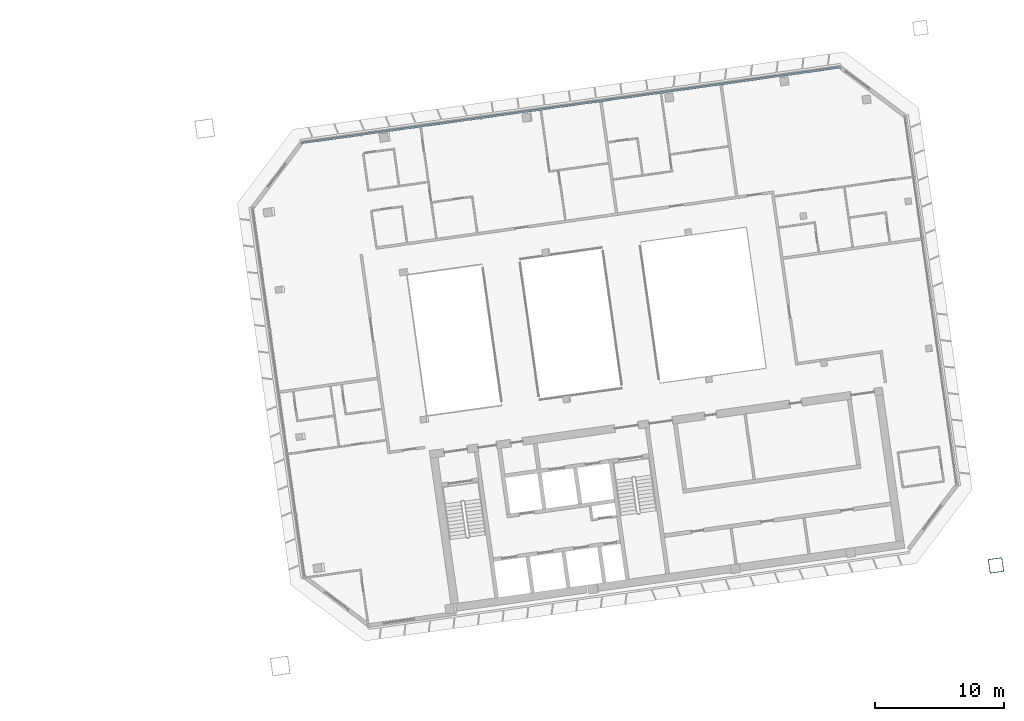
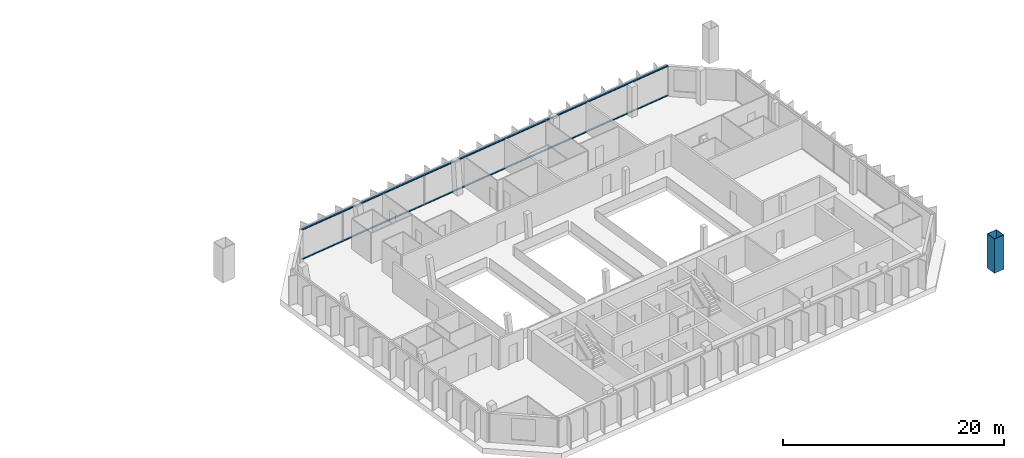
# One storey, part 8 of 20: 3 members, 1 element without a shape of its own.
"""IFC4 building model written with IfcOpenShell, lengths in metres."""

import ifcopenshell
import ifcopenshell.guid

model = None  # the IFC model being written
_history = None  # IfcOwnerHistory: only IFC2X3 demands one
_inside = {}  # id of a spatial element -> (the spatial element, [elements in it])
_under = {}  # id of a project, library or spatial element -> (it, [spatial elements below it])
_declared = {}  # id of a project -> (the project, [libraries it declares])
_typed = {}  # id of a type object -> (the type object, [elements of that type])
_made_of = {}  # id of a material, layer set ... -> (it, [elements and type objects made of it])


def new_model(schema):
    """Start an empty IFC model of exactly this schema.

    Asked for "IFC4X3", IfcOpenShell would pick the latest addendum, in which some entities
    have other attributes; the version numbers below select the first issue.
    IFC2X3 requires an IfcOwnerHistory on every rooted entity: one is made here for all.
    """
    global model, _history
    if schema == "IFC4X3":
        model = ifcopenshell.file(schema_version=(4, 3, 0, 0))
    else:
        model = ifcopenshell.file(schema=schema)
    _inside.clear()
    _under.clear()
    _declared.clear()
    _typed.clear()
    _made_of.clear()
    _history = None
    if model.schema == "IFC2X3":
        org = make("IfcOrganization", Name="unknown")
        user = make(
            "IfcPersonAndOrganization",
            ThePerson=make("IfcPerson", FamilyName="unknown"),
            TheOrganization=org,
        )
        app = make(
            "IfcApplication",
            ApplicationDeveloper=org,
            Version="unknown",
            ApplicationFullName="unknown",
            ApplicationIdentifier="unknown",
        )
        _history = make(
            "IfcOwnerHistory",
            OwningUser=user,
            OwningApplication=app,
            ChangeAction="ADDED",
            CreationDate=0,
        )
    return model


def make(cls, **values):
    """One entity of the class cls with the attributes given. An attribute that is None is left unset."""
    return model.create_entity(
        cls, **{name: value for name, value in values.items() if value is not None}
    )


def rooted(cls, **values):
    """An entity with a GlobalId (a new one), such as an element, a storey or a relation."""
    return make(cls, GlobalId=ifcopenshell.guid.new(), OwnerHistory=_history, **values)


def si_unit(unit_type, name, prefix=None):
    """IfcSIUnit, for example si_unit("LENGTHUNIT", "METRE", prefix="MILLI")."""
    return make("IfcSIUnit", UnitType=unit_type, Prefix=prefix, Name=name)


def assignment(units):
    """IfcUnitAssignment: the units of a project."""
    return None if units is None else make("IfcUnitAssignment", Units=units)


def point(xyz):
    """IfcCartesianPoint."""
    return None if xyz is None else make("IfcCartesianPoint", Coordinates=xyz)


def direction(xyz):
    """IfcDirection."""
    return None if xyz is None else make("IfcDirection", DirectionRatios=xyz)


def frame(location, z_axis=None, x_axis=None):
    """IfcAxis2Placement3D, a coordinate frame: its origin and axes. An axis left out is left unset."""
    return make(
        "IfcAxis2Placement3D",
        Location=point(location),
        Axis=direction(z_axis),
        RefDirection=direction(x_axis),
    )


def frame_2d(location, x_axis=None):
    """IfcAxis2Placement2D, a coordinate frame in the plane: its origin and x axis."""
    return make(
        "IfcAxis2Placement2D", Location=point(location), RefDirection=direction(x_axis)
    )


def origin():
    """The frame at (0, 0, 0) with its axes left unset."""
    return frame((0.0, 0.0, 0.0))


def origin_2d():
    """The frame at (0, 0) in the plane with its x axis left unset."""
    return frame_2d((0.0, 0.0))


def place(relative_to, where):
    """IfcLocalPlacement: puts the frame where relative to a parent placement (None: the world)."""
    return make(
        "IfcLocalPlacement", PlacementRelTo=relative_to, RelativePlacement=where
    )


def context(
    kind, dimensions, precision=None, world=None, true_north=None, identifier=None
):
    """IfcGeometricRepresentationContext, for example the 3D "Model" context."""
    return make(
        "IfcGeometricRepresentationContext",
        ContextIdentifier=identifier,
        ContextType=kind,
        CoordinateSpaceDimension=dimensions,
        Precision=precision,
        WorldCoordinateSystem=world,
        TrueNorth=true_north,
    )


def subcontext(parent, identifier, kind, view, scale=None):
    """IfcGeometricRepresentationSubContext, for example "Body" below "Model"."""
    return make(
        "IfcGeometricRepresentationSubContext",
        ContextIdentifier=identifier,
        ContextType=kind,
        ParentContext=parent,
        TargetScale=scale,
        TargetView=view,
    )


def project(units=None, contexts=None):
    """IfcProject with its units and contexts."""
    return rooted(
        "IfcProject",
        Name="project",
        RepresentationContexts=contexts,
        UnitsInContext=assignment(units),
    )


def spatial(cls, under=None, at=None, **own):
    """A site, building, storey or space (cls), placed at a placement, below another one or the project."""
    s = rooted(cls, ObjectPlacement=at, **own)
    if under is not None:
        _under.setdefault(under.id(), (under, []))[1].append(s)
    return s


def profile(cls, at=None, kind="AREA", **sizes):
    """A parametric profile (cls). Its sizes go by their IFC names, for example OverallWidth=200.0."""
    return make(cls, ProfileType=kind, Position=at, **sizes)


def rectangle(**sizes):
    """IfcRectangleProfileDef."""
    return profile("IfcRectangleProfileDef", **sizes)


def hollow_rectangle(**sizes):
    """IfcRectangleHollowProfileDef."""
    return profile("IfcRectangleHollowProfileDef", **sizes)


def extrude(swept, where, along, depth):
    """IfcExtrudedAreaSolid: the profile swept, set in the frame where, extruded along a direction by depth."""
    return make(
        "IfcExtrudedAreaSolid",
        SweptArea=swept,
        Position=where,
        ExtrudedDirection=direction(along),
        Depth=depth,
    )


def shape(context_of_items, identifier, shape_type, items):
    """IfcShapeRepresentation: the items that make up one representation, for example the "Body"."""
    return make(
        "IfcShapeRepresentation",
        ContextOfItems=context_of_items,
        RepresentationIdentifier=identifier,
        RepresentationType=shape_type,
        Items=items,
    )


def material(Name=None, Category=None):
    """IfcMaterial."""
    return make("IfcMaterial", Name=Name, Category=Category)


def material_profile(
    of_material, cross_section, Name=None, Category=None, Priority=None
):
    """IfcMaterialProfile: a cross section and its material."""
    return make(
        "IfcMaterialProfile",
        Name=Name,
        Material=of_material,
        Profile=cross_section,
        Priority=Priority,
        Category=Category,
    )


def profile_set(profiles, Name=None, composite=None):
    """IfcMaterialProfileSet."""
    return make(
        "IfcMaterialProfileSet",
        Name=Name,
        MaterialProfiles=profiles,
        CompositeProfile=composite,
    )


def made_of(thing, what):
    """Note that an element or type object is made of a material, layer set ...; save() writes the relation."""
    if what is not None:
        _made_of.setdefault(what.id(), (what, []))[1].append(thing)
    return thing


def type_object(cls, material=None, **own):
    """A type object (cls), such as IfcWallType, which elements share."""
    return made_of(rooted(cls, **own), material)


def element(
    cls,
    number,
    at=None,
    inside=None,
    cuts=None,
    type_object=None,
    material=None,
    context=None,
    identifier="Body",
    shape_type=None,
    held_by="IfcProductDefinitionShape",
    body=None,
    shapes=None,
    **own,
):
    """One element of the class cls, such as IfcWall. Its Tag is "e" and its number.

    at: its placement. inside: the storey or other place that contains it. cuts: it is an
    opening in that element (IfcRelVoidsElement). A single representation is given by context,
    identifier, shape_type and body (its items); several are given by shapes. held_by: the class
    of the entity that holds the representations. save() writes the other relations.
    """
    e = rooted(cls, Tag="e%d" % number, ObjectPlacement=at, **own)
    if body is not None:
        shapes = [shape(context, identifier, shape_type, body)]
    if shapes is not None:
        e.Representation = make(held_by, Representations=shapes)
    if inside is not None:
        _inside.setdefault(inside.id(), (inside, []))[1].append(e)
    if cuts is not None:
        rooted(
            "IfcRelVoidsElement", RelatingBuildingElement=cuts, RelatedOpeningElement=e
        )
    if type_object is not None:
        _typed.setdefault(type_object.id(), (type_object, []))[1].append(e)
    return made_of(e, material)


def aggregate(whole, parts):
    """IfcRelAggregates: a whole, such as a stair, and the parts it consists of."""
    return rooted("IfcRelAggregates", RelatingObject=whole, RelatedObjects=parts)


def save(model, path):
    """Write the relations noted so far, then the file.

    IfcRelAggregates (storeys below a building ...), IfcRelContainedInSpatialStructure (elements
    in a storey), IfcRelDefinesByType, IfcRelAssociatesMaterial and IfcRelDeclares: one each for
    every whole, place, type object, material and project.
    """
    for whole, parts in _under.values():
        aggregate(whole, parts)
    for where, things in _inside.values():
        rooted(
            "IfcRelContainedInSpatialStructure",
            RelatedElements=things,
            RelatingStructure=where,
        )
    for kind, things in _typed.values():
        rooted("IfcRelDefinesByType", RelatedObjects=things, RelatingType=kind)
    for what, things in _made_of.values():
        rooted("IfcRelAssociatesMaterial", RelatedObjects=things, RelatingMaterial=what)
    for by, libraries in _declared.values():
        rooted("IfcRelDeclares", RelatingContext=by, RelatedDefinitions=libraries)
    model.write(path)


model = new_model("IFC4")

# Units and contexts
model_context = context("Model", 3, precision=1e-05, world=origin(), true_north=direction((0.0, 1.0)))
body_context = subcontext(model_context, "Body", "Model", "MODEL_VIEW")
ifc_project = project(units=[si_unit("LENGTHUNIT", "METRE"), si_unit("AREAUNIT", "SQUARE_METRE"), si_unit("VOLUMEUNIT", "CUBIC_METRE"), si_unit("PLANEANGLEUNIT", "RADIAN"), si_unit("MASSUNIT", "GRAM", prefix="KILO")], contexts=[model_context])

# Site, building, storey
site_placement = place(None, origin())
site = spatial("IfcSite", under=ifc_project, at=site_placement, CompositionType="ELEMENT")
building_placement = place(site_placement, origin())
building = spatial("IfcBuilding", under=site, at=building_placement, Name="Mirante Cascada Hotel Towers", CompositionType="ELEMENT")
storey_placement = place(building_placement, frame((0.0, 0.0, 224.2)))
storey = spatial("IfcBuildingStorey", under=building, at=storey_placement, Name="L53", CompositionType="ELEMENT", Elevation=224.2)

# Member
ifc_material_1 = material(Name="Steel ASTM A572 Gr 50", Category="steel")
ifc_material_profile_1 = material_profile(ifc_material_1, hollow_rectangle(XDim=1.1, YDim=1.1, WallThickness=0.05, at=origin_2d()), Name="Box post 1100x1100x50 ASTM A572 Gr 50")
ifc_profile_set_1 = profile_set([ifc_material_profile_1], Name="Steel ASTM A572 Gr 50")
member_type_1 = type_object("IfcMemberType", Name="Box post 1100x1100x50 ASTM A572 Gr 50", PredefinedType="POST", material=ifc_profile_set_1)
member_1_placement = place(storey_placement, frame((79.4652, -16.2545, 0.0), z_axis=(0.0, 0.0, 1.0), x_axis=(0.9902681, 0.1391731, 0.0)))
element("IfcMember", 1, at=member_1_placement, inside=storey, type_object=member_type_1, Name="Mega column MP4 T2 L53", PredefinedType="POST", context=body_context, shape_type="SweptSolid", body=[
    extrude(hollow_rectangle(XDim=1.1, YDim=1.1, WallThickness=0.05, at=origin_2d()), origin(), (0.0, 0.0, 1.0), 3.8),
])

# Curtain wall, members
ifc_material_2 = material(Name="Aluminium mullion and transom frame with clear laminated glass", Category="aluminium")
curtain_wall_type = type_object("IfcCurtainWallType", Name="Ribbon curtain wall ECW1", PredefinedType="NOTDEFINED", material=ifc_material_2)
curtain_wall_placement = place(storey_placement, origin())
curtain_wall = element("IfcCurtainWall", 2, at=curtain_wall_placement, inside=storey, type_object=curtain_wall_type, Name="Front ribbon wall T2 L53", PredefinedType="NOTDEFINED")
ifc_material_3 = material(Name="Anodised aluminium extrusion", Category="aluminium")
ifc_material_profile_2 = material_profile(ifc_material_3, rectangle(XDim=0.16, YDim=0.1, at=origin_2d()), Name="ECW1 TRANSOM 100x160")
ifc_profile_set_2 = profile_set([ifc_material_profile_2], Name="Anodised aluminium extrusion")
member_type_2 = type_object("IfcMemberType", Name="ECW1 transom 100x160", PredefinedType="USERDEFINED", material=ifc_profile_set_2)
member_2_placement = place(storey_placement, frame((67.4209, 22.2944, 0.05), z_axis=(-0.9902681, -0.1391726, 0.0), x_axis=(0.1391726, -0.9902681, 0.0)))
member_2 = element("IfcMember", 3, at=member_2_placement, type_object=member_type_2, Name="ECW1 sill transom", ObjectType="TRANSOM", PredefinedType="USERDEFINED", context=body_context, shape_type="SweptSolid", body=[
    extrude(rectangle(XDim=0.16, YDim=0.1, at=origin_2d()), origin(), (0.0, 0.0, 1.0), 42.1297),
])
member_3_placement = place(storey_placement, frame((67.4209, 22.2944, 3.3), z_axis=(-0.9902681, -0.1391726, 0.0), x_axis=(0.1391726, -0.9902681, 0.0)))
member_3 = element("IfcMember", 4, at=member_3_placement, type_object=member_type_2, Name="ECW1 head transom", ObjectType="TRANSOM", PredefinedType="USERDEFINED", context=body_context, shape_type="SweptSolid", body=[
    extrude(rectangle(XDim=0.16, YDim=0.1, at=origin_2d()), origin(), (0.0, 0.0, 1.0), 42.1297),
])
aggregate(curtain_wall, [member_2, member_3])

save(model, "model.ifc")
